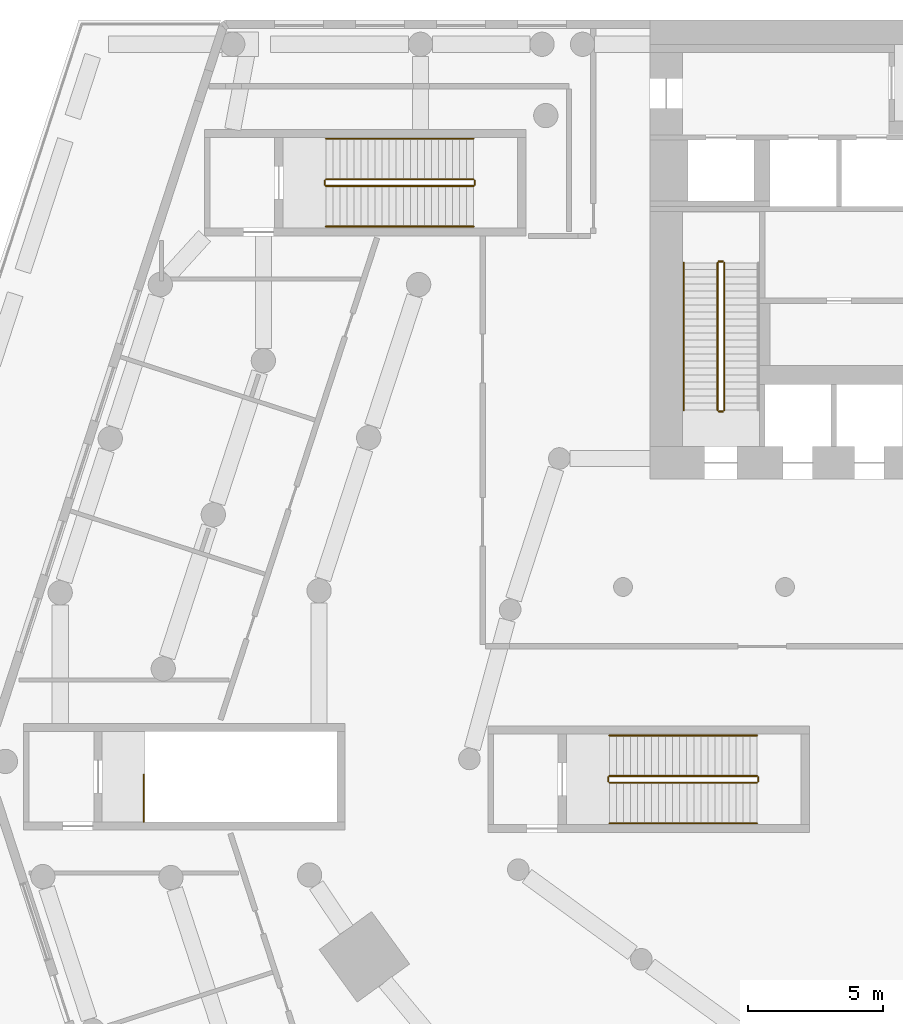
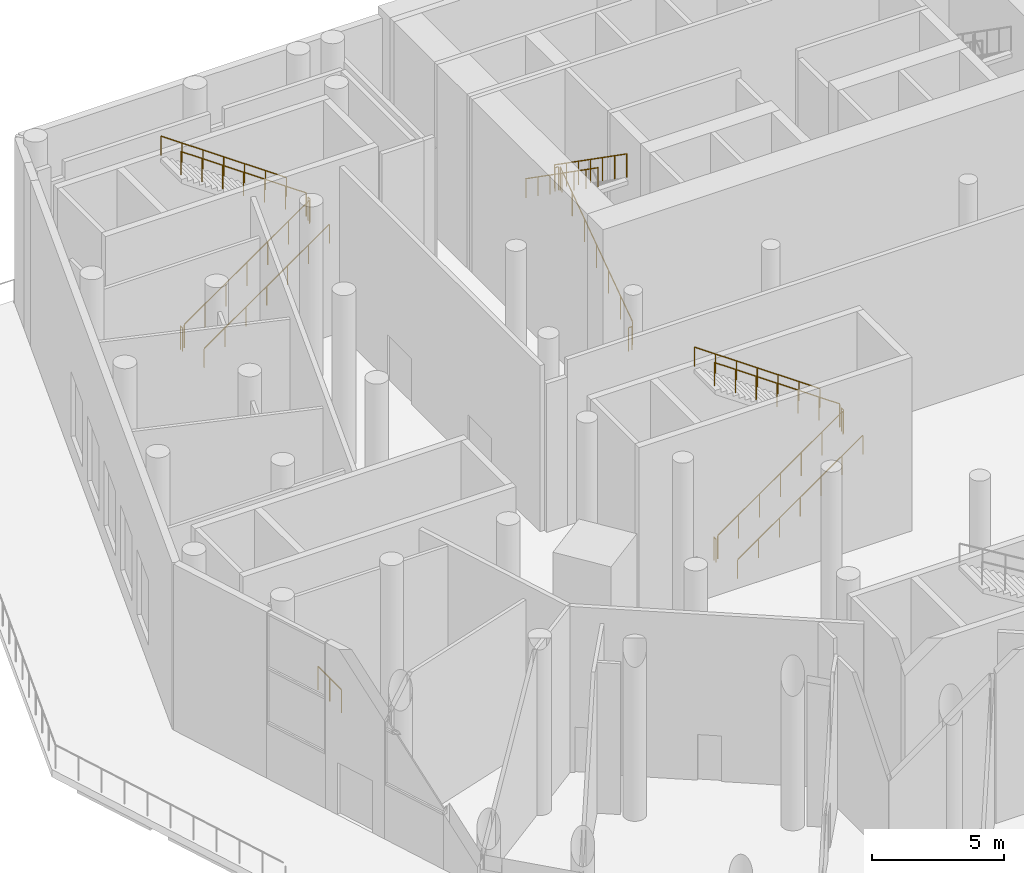
# One storey, part 21 of 23: 18 railings.
"""IFC4 building model written with IfcOpenShell, lengths in metres."""

import ifcopenshell
import ifcopenshell.guid

model = None  # the IFC model being written
_history = None  # IfcOwnerHistory: only IFC2X3 demands one
_inside = {}  # id of a spatial element -> (the spatial element, [elements in it])
_under = {}  # id of a project, library or spatial element -> (it, [spatial elements below it])
_declared = {}  # id of a project -> (the project, [libraries it declares])
_typed = {}  # id of a type object -> (the type object, [elements of that type])
_made_of = {}  # id of a material, layer set ... -> (it, [elements and type objects made of it])


def new_model(schema):
    """Start an empty IFC model of exactly this schema.

    Asked for "IFC4X3", IfcOpenShell would pick the latest addendum, in which some entities
    have other attributes; the version numbers below select the first issue.
    IFC2X3 requires an IfcOwnerHistory on every rooted entity: one is made here for all.
    """
    global model, _history
    if schema == "IFC4X3":
        model = ifcopenshell.file(schema_version=(4, 3, 0, 0))
    else:
        model = ifcopenshell.file(schema=schema)
    _inside.clear()
    _under.clear()
    _declared.clear()
    _typed.clear()
    _made_of.clear()
    _history = None
    if model.schema == "IFC2X3":
        org = make("IfcOrganization", Name="unknown")
        user = make(
            "IfcPersonAndOrganization",
            ThePerson=make("IfcPerson", FamilyName="unknown"),
            TheOrganization=org,
        )
        app = make(
            "IfcApplication",
            ApplicationDeveloper=org,
            Version="unknown",
            ApplicationFullName="unknown",
            ApplicationIdentifier="unknown",
        )
        _history = make(
            "IfcOwnerHistory",
            OwningUser=user,
            OwningApplication=app,
            ChangeAction="ADDED",
            CreationDate=0,
        )
    return model


def make(cls, **values):
    """One entity of the class cls with the attributes given. An attribute that is None is left unset."""
    return model.create_entity(
        cls, **{name: value for name, value in values.items() if value is not None}
    )


def rooted(cls, **values):
    """An entity with a GlobalId (a new one), such as an element, a storey or a relation."""
    return make(cls, GlobalId=ifcopenshell.guid.new(), OwnerHistory=_history, **values)


def si_unit(unit_type, name, prefix=None):
    """IfcSIUnit, for example si_unit("LENGTHUNIT", "METRE", prefix="MILLI")."""
    return make("IfcSIUnit", UnitType=unit_type, Prefix=prefix, Name=name)


def assignment(units):
    """IfcUnitAssignment: the units of a project."""
    return None if units is None else make("IfcUnitAssignment", Units=units)


def point(xyz):
    """IfcCartesianPoint."""
    return None if xyz is None else make("IfcCartesianPoint", Coordinates=xyz)


def direction(xyz):
    """IfcDirection."""
    return None if xyz is None else make("IfcDirection", DirectionRatios=xyz)


def frame(location, z_axis=None, x_axis=None):
    """IfcAxis2Placement3D, a coordinate frame: its origin and axes. An axis left out is left unset."""
    return make(
        "IfcAxis2Placement3D",
        Location=point(location),
        Axis=direction(z_axis),
        RefDirection=direction(x_axis),
    )


def frame_2d(location, x_axis=None):
    """IfcAxis2Placement2D, a coordinate frame in the plane: its origin and x axis."""
    return make(
        "IfcAxis2Placement2D", Location=point(location), RefDirection=direction(x_axis)
    )


def origin():
    """The frame at (0, 0, 0) with its axes left unset."""
    return frame((0.0, 0.0, 0.0))


def origin_2d():
    """The frame at (0, 0) in the plane with its x axis left unset."""
    return frame_2d((0.0, 0.0))


def place(relative_to, where):
    """IfcLocalPlacement: puts the frame where relative to a parent placement (None: the world)."""
    return make(
        "IfcLocalPlacement", PlacementRelTo=relative_to, RelativePlacement=where
    )


def context(
    kind, dimensions, precision=None, world=None, true_north=None, identifier=None
):
    """IfcGeometricRepresentationContext, for example the 3D "Model" context."""
    return make(
        "IfcGeometricRepresentationContext",
        ContextIdentifier=identifier,
        ContextType=kind,
        CoordinateSpaceDimension=dimensions,
        Precision=precision,
        WorldCoordinateSystem=world,
        TrueNorth=true_north,
    )


def subcontext(parent, identifier, kind, view, scale=None):
    """IfcGeometricRepresentationSubContext, for example "Body" below "Model"."""
    return make(
        "IfcGeometricRepresentationSubContext",
        ContextIdentifier=identifier,
        ContextType=kind,
        ParentContext=parent,
        TargetScale=scale,
        TargetView=view,
    )


def project(units=None, contexts=None):
    """IfcProject with its units and contexts."""
    return rooted(
        "IfcProject",
        Name="project",
        RepresentationContexts=contexts,
        UnitsInContext=assignment(units),
    )


def spatial(cls, under=None, at=None, **own):
    """A site, building, storey or space (cls), placed at a placement, below another one or the project."""
    s = rooted(cls, ObjectPlacement=at, **own)
    if under is not None:
        _under.setdefault(under.id(), (under, []))[1].append(s)
    return s


def profile(cls, at=None, kind="AREA", **sizes):
    """A parametric profile (cls). Its sizes go by their IFC names, for example OverallWidth=200.0."""
    return make(cls, ProfileType=kind, Position=at, **sizes)


def circle(**sizes):
    """IfcCircleProfileDef."""
    return profile("IfcCircleProfileDef", **sizes)


def extrude(swept, where, along, depth):
    """IfcExtrudedAreaSolid: the profile swept, set in the frame where, extruded along a direction by depth."""
    return make(
        "IfcExtrudedAreaSolid",
        SweptArea=swept,
        Position=where,
        ExtrudedDirection=direction(along),
        Depth=depth,
    )


def shape(context_of_items, identifier, shape_type, items):
    """IfcShapeRepresentation: the items that make up one representation, for example the "Body"."""
    return make(
        "IfcShapeRepresentation",
        ContextOfItems=context_of_items,
        RepresentationIdentifier=identifier,
        RepresentationType=shape_type,
        Items=items,
    )


def material(Name=None, Category=None):
    """IfcMaterial."""
    return make("IfcMaterial", Name=Name, Category=Category)


def made_of(thing, what):
    """Note that an element or type object is made of a material, layer set ...; save() writes the relation."""
    if what is not None:
        _made_of.setdefault(what.id(), (what, []))[1].append(thing)
    return thing


def type_object(cls, material=None, **own):
    """A type object (cls), such as IfcWallType, which elements share."""
    return made_of(rooted(cls, **own), material)


def element(
    cls,
    number,
    at=None,
    inside=None,
    cuts=None,
    type_object=None,
    material=None,
    context=None,
    identifier="Body",
    shape_type=None,
    held_by="IfcProductDefinitionShape",
    body=None,
    shapes=None,
    **own,
):
    """One element of the class cls, such as IfcWall. Its Tag is "e" and its number.

    at: its placement. inside: the storey or other place that contains it. cuts: it is an
    opening in that element (IfcRelVoidsElement). A single representation is given by context,
    identifier, shape_type and body (its items); several are given by shapes. held_by: the class
    of the entity that holds the representations. save() writes the other relations.
    """
    e = rooted(cls, Tag="e%d" % number, ObjectPlacement=at, **own)
    if body is not None:
        shapes = [shape(context, identifier, shape_type, body)]
    if shapes is not None:
        e.Representation = make(held_by, Representations=shapes)
    if inside is not None:
        _inside.setdefault(inside.id(), (inside, []))[1].append(e)
    if cuts is not None:
        rooted(
            "IfcRelVoidsElement", RelatingBuildingElement=cuts, RelatedOpeningElement=e
        )
    if type_object is not None:
        _typed.setdefault(type_object.id(), (type_object, []))[1].append(e)
    return made_of(e, material)


def aggregate(whole, parts):
    """IfcRelAggregates: a whole, such as a stair, and the parts it consists of."""
    return rooted("IfcRelAggregates", RelatingObject=whole, RelatedObjects=parts)


def save(model, path):
    """Write the relations noted so far, then the file.

    IfcRelAggregates (storeys below a building ...), IfcRelContainedInSpatialStructure (elements
    in a storey), IfcRelDefinesByType, IfcRelAssociatesMaterial and IfcRelDeclares: one each for
    every whole, place, type object, material and project.
    """
    for whole, parts in _under.values():
        aggregate(whole, parts)
    for where, things in _inside.values():
        rooted(
            "IfcRelContainedInSpatialStructure",
            RelatedElements=things,
            RelatingStructure=where,
        )
    for kind, things in _typed.values():
        rooted("IfcRelDefinesByType", RelatedObjects=things, RelatingType=kind)
    for what, things in _made_of.values():
        rooted("IfcRelAssociatesMaterial", RelatedObjects=things, RelatingMaterial=what)
    for by, libraries in _declared.values():
        rooted("IfcRelDeclares", RelatingContext=by, RelatedDefinitions=libraries)
    model.write(path)


model = new_model("IFC4")

# Units and contexts
model_context = context("Model", 3, precision=1e-05, world=origin(), true_north=direction((0.0, 1.0)))
body_context = subcontext(model_context, "Body", "Model", "MODEL_VIEW")
ifc_project = project(units=[si_unit("LENGTHUNIT", "METRE"), si_unit("AREAUNIT", "SQUARE_METRE"), si_unit("VOLUMEUNIT", "CUBIC_METRE"), si_unit("PLANEANGLEUNIT", "RADIAN"), si_unit("MASSUNIT", "GRAM", prefix="KILO")], contexts=[model_context])

# Site, building, storey
site_placement = place(None, origin())
site = spatial("IfcSite", under=ifc_project, at=site_placement, CompositionType="ELEMENT")
building_placement = place(site_placement, origin())
building = spatial("IfcBuilding", under=site, at=building_placement, Name="White Candle Pilgrim Tower", CompositionType="ELEMENT")
storey_placement = place(building_placement, frame((0.0, 0.0, 15.0)))
storey = spatial("IfcBuildingStorey", under=building, at=storey_placement, Name="L02", CompositionType="ELEMENT", Elevation=15.0)

# Railings
ifc_material = material(Name="Stainless steel", Category="steel")
railing_type_1 = type_object("IfcRailingType", Name="Stair guard stainless steel 1100 mm", PredefinedType="GUARDRAIL", material=ifc_material)
railing_1_placement = place(storey_placement, frame((61.75, 73.550048828125, 0.181884765625)))
element("IfcRailing", 1, at=railing_1_placement, inside=storey, type_object=railing_type_1, Name="L02 ST1 stair guard 1", PredefinedType="GUARDRAIL", context=body_context, shape_type="SweptSolid", body=[
    extrude(circle(Radius=0.02392578125, at=origin_2d()), frame((0.0, 0.0, 1.076171875), z_axis=(0.0, 0.81950382928, 0.573073707123), x_axis=(-1.0, 0.0, 0.0)), (0.0, 0.0, 1.0), 6.66259765625),
    extrude(circle(Radius=0.02099609375, at=origin_2d()), origin(), (0.0, 0.0, 1.0), 1.052001953125),
    extrude(circle(Radius=0.02099609375, at=origin_2d()), frame((0.0, 0.909912109375, 0.63623046875)), (0.0, 0.0, 1.0), 1.052001953125),
    extrude(circle(Radius=0.02099609375, at=origin_2d()), frame((0.0, 1.820068359375, 1.272705078125)), (0.0, 0.0, 1.0), 1.052001953125),
    extrude(circle(Radius=0.02099609375, at=origin_2d()), frame((0.0, 2.72998046875, 1.9091796875)), (0.0, 0.0, 1.0), 1.052001953125),
    extrude(circle(Radius=0.02099609375, at=origin_2d()), frame((0.0, 3.639892578125, 2.54541015625)), (0.0, 0.0, 1.0), 1.052001953125),
    extrude(circle(Radius=0.02099609375, at=origin_2d()), frame((0.0, 4.550048828125, 3.181640625)), (0.0, 0.0, 1.0), 1.052001953125),
    extrude(circle(Radius=0.02099609375, at=origin_2d()), frame((0.0, 5.4599609375, 3.818115234375)), (0.0, 0.0, 1.0), 1.052001953125),
])
railing_2_placement = place(storey_placement, frame((61.699951171875, 79.06005859375, 4.0)))
element("IfcRailing", 2, at=railing_2_placement, inside=storey, type_object=railing_type_1, Name="L02 ST1 stair guard 2", PredefinedType="GUARDRAIL", context=body_context, shape_type="SweptSolid", body=[
    extrude(circle(Radius=0.02392578125, at=origin_2d()), frame((0.0, 0.0, 1.076171875), z_axis=(-1.0, 0.0, 0.0), x_axis=(0.0, -1.0, 0.0)), (0.0, 0.0, 1.0), 0.14990234375),
    extrude(circle(Radius=0.02099609375, at=origin_2d()), origin(), (0.0, 0.0, 1.0), 1.052001953125),
    extrude(circle(Radius=0.02099609375, at=origin_2d()), frame((-0.14990234375, 0.0, 0.0)), (0.0, 0.0, 1.0), 1.052001953125),
])
railing_3_placement = place(storey_placement, frame((61.5, 79.010009765625, 4.181884765625)))
element("IfcRailing", 3, at=railing_3_placement, inside=storey, type_object=railing_type_1, Name="L02 ST1 stair guard 3", PredefinedType="GUARDRAIL", context=body_context, shape_type="SweptSolid", body=[
    extrude(circle(Radius=0.02392578125, at=origin_2d()), frame((0.0, 0.0, 1.076171875), z_axis=(0.0, -0.81950382928, 0.573073707123), x_axis=(1.0, 0.0, 0.0)), (0.0, 0.0, 1.0), 6.66259765625),
    extrude(circle(Radius=0.02099609375, at=origin_2d()), origin(), (0.0, 0.0, 1.0), 1.052001953125),
    extrude(circle(Radius=0.02099609375, at=origin_2d()), frame((0.0, -0.909912109375, 0.63623046875)), (0.0, 0.0, 1.0), 1.052001953125),
    extrude(circle(Radius=0.02099609375, at=origin_2d()), frame((0.0, -1.820068359375, 1.272705078125)), (0.0, 0.0, 1.0), 1.052001953125),
    extrude(circle(Radius=0.02099609375, at=origin_2d()), frame((0.0, -2.72998046875, 1.9091796875)), (0.0, 0.0, 1.0), 1.052001953125),
    extrude(circle(Radius=0.02099609375, at=origin_2d()), frame((0.0, -3.639892578125, 2.54541015625)), (0.0, 0.0, 1.0), 1.052001953125),
    extrude(circle(Radius=0.02099609375, at=origin_2d()), frame((0.0, -4.550048828125, 3.181640625)), (0.0, 0.0, 1.0), 1.052001953125),
    extrude(circle(Radius=0.02099609375, at=origin_2d()), frame((0.0, -5.4599609375, 3.818115234375)), (0.0, 0.0, 1.0), 1.052001953125),
])
railing_4_placement = place(storey_placement, frame((61.699951171875, 73.5, 0.0)))
element("IfcRailing", 4, at=railing_4_placement, inside=storey, type_object=railing_type_1, Name="L02 ST1 stair guard 4", PredefinedType="GUARDRAIL", context=body_context, shape_type="SweptSolid", body=[
    extrude(circle(Radius=0.02392578125, at=origin_2d()), frame((0.0, 0.0, 1.076171875), z_axis=(-1.0, 0.0, 0.0), x_axis=(0.0, -1.0, 0.0)), (0.0, 0.0, 1.0), 0.14990234375),
    extrude(circle(Radius=0.02099609375, at=origin_2d()), origin(), (0.0, 0.0, 1.0), 1.052001953125),
    extrude(circle(Radius=0.02099609375, at=origin_2d()), frame((-0.14990234375, 0.0, 0.0)), (0.0, 0.0, 1.0), 1.052001953125),
])
railing_5_placement = place(storey_placement, frame((57.5, 59.75, 0.181884765625)))
element("IfcRailing", 5, at=railing_5_placement, inside=storey, type_object=railing_type_1, Name="L02 ST5 stair guard 1", PredefinedType="GUARDRAIL", context=body_context, shape_type="SweptSolid", body=[
    extrude(circle(Radius=0.02392578125, at=origin_2d()), frame((0.0, 0.0, 1.076171875), z_axis=(0.81950382928, 0.0, 0.573073707123), x_axis=(0.0, 1.0, 0.0)), (0.0, 0.0, 1.0), 6.66259765625),
    extrude(circle(Radius=0.02099609375, at=origin_2d()), origin(), (0.0, 0.0, 1.0), 1.052001953125),
    extrude(circle(Radius=0.02099609375, at=origin_2d()), frame((0.909912109375, 0.0, 0.63623046875)), (0.0, 0.0, 1.0), 1.052001953125),
    extrude(circle(Radius=0.02099609375, at=origin_2d()), frame((1.820068359375, 0.0, 1.272705078125)), (0.0, 0.0, 1.0), 1.052001953125),
    extrude(circle(Radius=0.02099609375, at=origin_2d()), frame((2.72998046875, 0.0, 1.9091796875)), (0.0, 0.0, 1.0), 1.052001953125),
    extrude(circle(Radius=0.02099609375, at=origin_2d()), frame((3.639892578125, 0.0, 2.54541015625)), (0.0, 0.0, 1.0), 1.052001953125),
    extrude(circle(Radius=0.02099609375, at=origin_2d()), frame((4.550048828125, 0.0, 3.181640625)), (0.0, 0.0, 1.0), 1.052001953125),
    extrude(circle(Radius=0.02099609375, at=origin_2d()), frame((5.4599609375, 0.0, 3.818115234375)), (0.0, 0.0, 1.0), 1.052001953125),
])
railing_6_placement = place(storey_placement, frame((63.010009765625, 59.800048828125, 4.0)))
element("IfcRailing", 6, at=railing_6_placement, inside=storey, type_object=railing_type_1, Name="L02 ST5 stair guard 2", PredefinedType="GUARDRAIL", context=body_context, shape_type="SweptSolid", body=[
    extrude(circle(Radius=0.02392578125, at=origin_2d()), frame((0.0, 0.0, 1.076171875), z_axis=(0.0, 1.0, 0.0), x_axis=(-1.0, 0.0, 0.0)), (0.0, 0.0, 1.0), 0.14990234375),
    extrude(circle(Radius=0.02099609375, at=origin_2d()), origin(), (0.0, 0.0, 1.0), 1.052001953125),
    extrude(circle(Radius=0.02099609375, at=origin_2d()), frame((0.0, 0.14990234375, 0.0)), (0.0, 0.0, 1.0), 1.052001953125),
])
railing_7_placement = place(storey_placement, frame((62.9599609375, 60.0, 4.181884765625)))
element("IfcRailing", 7, at=railing_7_placement, inside=storey, type_object=railing_type_1, Name="L02 ST5 stair guard 3", PredefinedType="GUARDRAIL", context=body_context, shape_type="SweptSolid", body=[
    extrude(circle(Radius=0.02392578125, at=origin_2d()), frame((0.0, 0.0, 1.076171875), z_axis=(-0.81950382928, 0.0, 0.573073707123), x_axis=(0.0, -1.0, 0.0)), (0.0, 0.0, 1.0), 6.66259765625),
    extrude(circle(Radius=0.02099609375, at=origin_2d()), origin(), (0.0, 0.0, 1.0), 1.052001953125),
    extrude(circle(Radius=0.02099609375, at=origin_2d()), frame((-0.909912109375, 0.0, 0.63623046875)), (0.0, 0.0, 1.0), 1.052001953125),
    extrude(circle(Radius=0.02099609375, at=origin_2d()), frame((-1.820068359375, 0.0, 1.272705078125)), (0.0, 0.0, 1.0), 1.052001953125),
    extrude(circle(Radius=0.02099609375, at=origin_2d()), frame((-2.72998046875, 0.0, 1.9091796875)), (0.0, 0.0, 1.0), 1.052001953125),
    extrude(circle(Radius=0.02099609375, at=origin_2d()), frame((-3.639892578125, 0.0, 2.54541015625)), (0.0, 0.0, 1.0), 1.052001953125),
    extrude(circle(Radius=0.02099609375, at=origin_2d()), frame((-4.550048828125, 0.0, 3.181640625)), (0.0, 0.0, 1.0), 1.052001953125),
    extrude(circle(Radius=0.02099609375, at=origin_2d()), frame((-5.4599609375, 0.0, 3.818115234375)), (0.0, 0.0, 1.0), 1.052001953125),
])
railing_8_placement = place(storey_placement, frame((57.449951171875, 59.800048828125, 0.0)))
element("IfcRailing", 8, at=railing_8_placement, inside=storey, type_object=railing_type_1, Name="L02 ST5 stair guard 4", PredefinedType="GUARDRAIL", context=body_context, shape_type="SweptSolid", body=[
    extrude(circle(Radius=0.02392578125, at=origin_2d()), frame((0.0, 0.0, 1.076171875), z_axis=(0.0, 1.0, 0.0), x_axis=(-1.0, 0.0, 0.0)), (0.0, 0.0, 1.0), 0.14990234375),
    extrude(circle(Radius=0.02099609375, at=origin_2d()), origin(), (0.0, 0.0, 1.0), 1.052001953125),
    extrude(circle(Radius=0.02099609375, at=origin_2d()), frame((0.0, 0.14990234375, 0.0)), (0.0, 0.0, 1.0), 1.052001953125),
])
railing_9_placement = place(storey_placement, frame((40.25, 58.300048828125, 0.0)))
element("IfcRailing", 9, at=railing_9_placement, inside=storey, type_object=railing_type_1, Name="L02 ST8 top well guard 1", PredefinedType="GUARDRAIL", context=body_context, shape_type="SweptSolid", body=[
    extrude(circle(Radius=0.02392578125, at=origin_2d()), frame((0.0, 0.0, 1.076171875), z_axis=(0.0, 1.0, 0.0), x_axis=(-1.0, 0.0, 0.0)), (0.0, 0.0, 1.0), 1.75),
    extrude(circle(Radius=0.02099609375, at=origin_2d()), origin(), (0.0, 0.0, 1.0), 1.052001953125),
    extrude(circle(Radius=0.02099609375, at=origin_2d()), frame((0.0, 0.875, 0.0)), (0.0, 0.0, 1.0), 1.052001953125),
    extrude(circle(Radius=0.02099609375, at=origin_2d()), frame((0.0, 1.75, 0.0)), (0.0, 0.0, 1.0), 1.052001953125),
])
railing_10_placement = place(storey_placement, frame((47.0, 81.85009765625, 0.181884765625)))
element("IfcRailing", 10, at=railing_10_placement, inside=storey, type_object=railing_type_1, Name="L02 ST10 stair guard 1", PredefinedType="GUARDRAIL", context=body_context, shape_type="SweptSolid", body=[
    extrude(circle(Radius=0.02392578125, at=origin_2d()), frame((0.0, 0.0, 1.076171875), z_axis=(0.81950382928, 0.0, 0.573073707123), x_axis=(0.0, 1.0, 0.0)), (0.0, 0.0, 1.0), 6.66259765625),
    extrude(circle(Radius=0.02099609375, at=origin_2d()), origin(), (0.0, 0.0, 1.0), 1.052001953125),
    extrude(circle(Radius=0.02099609375, at=origin_2d()), frame((0.909912109375, 0.0, 0.63623046875)), (0.0, 0.0, 1.0), 1.052001953125),
    extrude(circle(Radius=0.02099609375, at=origin_2d()), frame((1.820068359375, 0.0, 1.272705078125)), (0.0, 0.0, 1.0), 1.052001953125),
    extrude(circle(Radius=0.02099609375, at=origin_2d()), frame((2.72998046875, 0.0, 1.9091796875)), (0.0, 0.0, 1.0), 1.052001953125),
    extrude(circle(Radius=0.02099609375, at=origin_2d()), frame((3.639892578125, 0.0, 2.54541015625)), (0.0, 0.0, 1.0), 1.052001953125),
    extrude(circle(Radius=0.02099609375, at=origin_2d()), frame((4.550048828125, 0.0, 3.181640625)), (0.0, 0.0, 1.0), 1.052001953125),
    extrude(circle(Radius=0.02099609375, at=origin_2d()), frame((5.4599609375, 0.0, 3.818115234375)), (0.0, 0.0, 1.0), 1.052001953125),
])
railing_11_placement = place(storey_placement, frame((52.510009765625, 81.89990234375, 4.0)))
element("IfcRailing", 11, at=railing_11_placement, inside=storey, type_object=railing_type_1, Name="L02 ST10 stair guard 2", PredefinedType="GUARDRAIL", context=body_context, shape_type="SweptSolid", body=[
    extrude(circle(Radius=0.02392578125, at=origin_2d()), frame((0.0, 0.0, 1.076171875), z_axis=(0.0, 1.0, 0.0), x_axis=(-1.0, 0.0, 0.0)), (0.0, 0.0, 1.0), 0.150146484375),
    extrude(circle(Radius=0.02099609375, at=origin_2d()), origin(), (0.0, 0.0, 1.0), 1.052001953125),
    extrude(circle(Radius=0.02099609375, at=origin_2d()), frame((0.0, 0.150146484375, 0.0)), (0.0, 0.0, 1.0), 1.052001953125),
])
railing_12_placement = place(storey_placement, frame((52.4599609375, 82.10009765625, 4.181884765625)))
element("IfcRailing", 12, at=railing_12_placement, inside=storey, type_object=railing_type_1, Name="L02 ST10 stair guard 3", PredefinedType="GUARDRAIL", context=body_context, shape_type="SweptSolid", body=[
    extrude(circle(Radius=0.02392578125, at=origin_2d()), frame((0.0, 0.0, 1.076171875), z_axis=(-0.81950382928, 0.0, 0.573073707123), x_axis=(0.0, -1.0, 0.0)), (0.0, 0.0, 1.0), 6.66259765625),
    extrude(circle(Radius=0.02099609375, at=origin_2d()), origin(), (0.0, 0.0, 1.0), 1.052001953125),
    extrude(circle(Radius=0.02099609375, at=origin_2d()), frame((-0.909912109375, 0.0, 0.63623046875)), (0.0, 0.0, 1.0), 1.052001953125),
    extrude(circle(Radius=0.02099609375, at=origin_2d()), frame((-1.820068359375, 0.0, 1.272705078125)), (0.0, 0.0, 1.0), 1.052001953125),
    extrude(circle(Radius=0.02099609375, at=origin_2d()), frame((-2.72998046875, 0.0, 1.9091796875)), (0.0, 0.0, 1.0), 1.052001953125),
    extrude(circle(Radius=0.02099609375, at=origin_2d()), frame((-3.639892578125, 0.0, 2.54541015625)), (0.0, 0.0, 1.0), 1.052001953125),
    extrude(circle(Radius=0.02099609375, at=origin_2d()), frame((-4.550048828125, 0.0, 3.181640625)), (0.0, 0.0, 1.0), 1.052001953125),
    extrude(circle(Radius=0.02099609375, at=origin_2d()), frame((-5.4599609375, 0.0, 3.818115234375)), (0.0, 0.0, 1.0), 1.052001953125),
])
railing_13_placement = place(storey_placement, frame((46.949951171875, 81.89990234375, 0.0)))
element("IfcRailing", 13, at=railing_13_placement, inside=storey, type_object=railing_type_1, Name="L02 ST10 stair guard 4", PredefinedType="GUARDRAIL", context=body_context, shape_type="SweptSolid", body=[
    extrude(circle(Radius=0.02392578125, at=origin_2d()), frame((0.0, 0.0, 1.076171875), z_axis=(0.0, 1.0, 0.0), x_axis=(-1.0, 0.0, 0.0)), (0.0, 0.0, 1.0), 0.150146484375),
    extrude(circle(Radius=0.02099609375, at=origin_2d()), origin(), (0.0, 0.0, 1.0), 1.052001953125),
    extrude(circle(Radius=0.02099609375, at=origin_2d()), frame((0.0, 0.150146484375, 0.0)), (0.0, 0.0, 1.0), 1.052001953125),
])
railing_type_2 = type_object("IfcRailingType", Name="Stair handrail stainless steel", PredefinedType="HANDRAIL", material=ifc_material)
railing_14_placement = place(storey_placement, frame((60.25, 79.010009765625, 4.181884765625)))
element("IfcRailing", 14, at=railing_14_placement, inside=storey, type_object=railing_type_2, Name="L02 ST1 stair handrail 2", PredefinedType="HANDRAIL", context=body_context, shape_type="SweptSolid", body=[
    extrude(circle(Radius=0.02392578125, at=origin_2d()), frame((0.0, 0.0, 0.8759765625), z_axis=(0.0, -0.81950382928, 0.573073707123), x_axis=(1.0, 0.0, 0.0)), (0.0, 0.0, 1.0), 6.66259765625),
    extrude(circle(Radius=0.02099609375, at=origin_2d()), origin(), (0.0, 0.0, 1.0), 0.851806640625),
    extrude(circle(Radius=0.02099609375, at=origin_2d()), frame((0.0, -0.909912109375, 0.63623046875)), (0.0, 0.0, 1.0), 0.851806640625),
    extrude(circle(Radius=0.02099609375, at=origin_2d()), frame((0.0, -1.820068359375, 1.272705078125)), (0.0, 0.0, 1.0), 0.851806640625),
    extrude(circle(Radius=0.02099609375, at=origin_2d()), frame((0.0, -2.72998046875, 1.9091796875)), (0.0, 0.0, 1.0), 0.851806640625),
    extrude(circle(Radius=0.02099609375, at=origin_2d()), frame((0.0, -3.639892578125, 2.54541015625)), (0.0, 0.0, 1.0), 0.851806640625),
    extrude(circle(Radius=0.02099609375, at=origin_2d()), frame((0.0, -4.550048828125, 3.181640625)), (0.0, 0.0, 1.0), 0.851806640625),
    extrude(circle(Radius=0.02099609375, at=origin_2d()), frame((0.0, -5.4599609375, 3.818115234375)), (0.0, 0.0, 1.0), 0.851806640625),
])
railing_15_placement = place(storey_placement, frame((57.5, 58.25, 0.181884765625)))
element("IfcRailing", 15, at=railing_15_placement, inside=storey, type_object=railing_type_2, Name="L02 ST5 stair handrail 1", PredefinedType="HANDRAIL", context=body_context, shape_type="SweptSolid", body=[
    extrude(circle(Radius=0.02392578125, at=origin_2d()), frame((0.0, 0.0, 0.8759765625), z_axis=(0.81950382928, 0.0, 0.573073707123), x_axis=(0.0, 1.0, 0.0)), (0.0, 0.0, 1.0), 6.66259765625),
    extrude(circle(Radius=0.02099609375, at=origin_2d()), origin(), (0.0, 0.0, 1.0), 0.851806640625),
    extrude(circle(Radius=0.02099609375, at=origin_2d()), frame((0.909912109375, 0.0, 0.63623046875)), (0.0, 0.0, 1.0), 0.851806640625),
    extrude(circle(Radius=0.02099609375, at=origin_2d()), frame((1.820068359375, 0.0, 1.272705078125)), (0.0, 0.0, 1.0), 0.851806640625),
    extrude(circle(Radius=0.02099609375, at=origin_2d()), frame((2.72998046875, 0.0, 1.9091796875)), (0.0, 0.0, 1.0), 0.851806640625),
    extrude(circle(Radius=0.02099609375, at=origin_2d()), frame((3.639892578125, 0.0, 2.54541015625)), (0.0, 0.0, 1.0), 0.851806640625),
    extrude(circle(Radius=0.02099609375, at=origin_2d()), frame((4.550048828125, 0.0, 3.181640625)), (0.0, 0.0, 1.0), 0.851806640625),
    extrude(circle(Radius=0.02099609375, at=origin_2d()), frame((5.4599609375, 0.0, 3.818115234375)), (0.0, 0.0, 1.0), 0.851806640625),
])
railing_16_placement = place(storey_placement, frame((62.9599609375, 61.5, 4.181884765625)))
element("IfcRailing", 16, at=railing_16_placement, inside=storey, type_object=railing_type_2, Name="L02 ST5 stair handrail 2", PredefinedType="HANDRAIL", context=body_context, shape_type="SweptSolid", body=[
    extrude(circle(Radius=0.02392578125, at=origin_2d()), frame((0.0, 0.0, 0.8759765625), z_axis=(-0.81950382928, 0.0, 0.573073707123), x_axis=(0.0, -1.0, 0.0)), (0.0, 0.0, 1.0), 6.66259765625),
    extrude(circle(Radius=0.02099609375, at=origin_2d()), origin(), (0.0, 0.0, 1.0), 0.851806640625),
    extrude(circle(Radius=0.02099609375, at=origin_2d()), frame((-0.909912109375, 0.0, 0.63623046875)), (0.0, 0.0, 1.0), 0.851806640625),
    extrude(circle(Radius=0.02099609375, at=origin_2d()), frame((-1.820068359375, 0.0, 1.272705078125)), (0.0, 0.0, 1.0), 0.851806640625),
    extrude(circle(Radius=0.02099609375, at=origin_2d()), frame((-2.72998046875, 0.0, 1.9091796875)), (0.0, 0.0, 1.0), 0.851806640625),
    extrude(circle(Radius=0.02099609375, at=origin_2d()), frame((-3.639892578125, 0.0, 2.54541015625)), (0.0, 0.0, 1.0), 0.851806640625),
    extrude(circle(Radius=0.02099609375, at=origin_2d()), frame((-4.550048828125, 0.0, 3.181640625)), (0.0, 0.0, 1.0), 0.851806640625),
    extrude(circle(Radius=0.02099609375, at=origin_2d()), frame((-5.4599609375, 0.0, 3.818115234375)), (0.0, 0.0, 1.0), 0.851806640625),
])
railing_17_placement = place(storey_placement, frame((47.0, 80.35009765625, 0.181884765625)))
element("IfcRailing", 17, at=railing_17_placement, inside=storey, type_object=railing_type_2, Name="L02 ST10 stair handrail 1", PredefinedType="HANDRAIL", context=body_context, shape_type="SweptSolid", body=[
    extrude(circle(Radius=0.02392578125, at=origin_2d()), frame((0.0, 0.0, 0.8759765625), z_axis=(0.81950382928, 0.0, 0.573073707123), x_axis=(0.0, 1.0, 0.0)), (0.0, 0.0, 1.0), 6.66259765625),
    extrude(circle(Radius=0.02099609375, at=origin_2d()), origin(), (0.0, 0.0, 1.0), 0.851806640625),
    extrude(circle(Radius=0.02099609375, at=origin_2d()), frame((0.909912109375, 0.0, 0.63623046875)), (0.0, 0.0, 1.0), 0.851806640625),
    extrude(circle(Radius=0.02099609375, at=origin_2d()), frame((1.820068359375, 0.0, 1.272705078125)), (0.0, 0.0, 1.0), 0.851806640625),
    extrude(circle(Radius=0.02099609375, at=origin_2d()), frame((2.72998046875, 0.0, 1.9091796875)), (0.0, 0.0, 1.0), 0.851806640625),
    extrude(circle(Radius=0.02099609375, at=origin_2d()), frame((3.639892578125, 0.0, 2.54541015625)), (0.0, 0.0, 1.0), 0.851806640625),
    extrude(circle(Radius=0.02099609375, at=origin_2d()), frame((4.550048828125, 0.0, 3.181640625)), (0.0, 0.0, 1.0), 0.851806640625),
    extrude(circle(Radius=0.02099609375, at=origin_2d()), frame((5.4599609375, 0.0, 3.818115234375)), (0.0, 0.0, 1.0), 0.851806640625),
])
railing_18_placement = place(storey_placement, frame((52.4599609375, 83.60009765625, 4.181884765625)))
element("IfcRailing", 18, at=railing_18_placement, inside=storey, type_object=railing_type_2, Name="L02 ST10 stair handrail 2", PredefinedType="HANDRAIL", context=body_context, shape_type="SweptSolid", body=[
    extrude(circle(Radius=0.02392578125, at=origin_2d()), frame((0.0, 0.0, 0.8759765625), z_axis=(-0.81950382928, 0.0, 0.573073707123), x_axis=(0.0, -1.0, 0.0)), (0.0, 0.0, 1.0), 6.66259765625),
    extrude(circle(Radius=0.02099609375, at=origin_2d()), origin(), (0.0, 0.0, 1.0), 0.851806640625),
    extrude(circle(Radius=0.02099609375, at=origin_2d()), frame((-0.909912109375, 0.0, 0.63623046875)), (0.0, 0.0, 1.0), 0.851806640625),
    extrude(circle(Radius=0.02099609375, at=origin_2d()), frame((-1.820068359375, 0.0, 1.272705078125)), (0.0, 0.0, 1.0), 0.851806640625),
    extrude(circle(Radius=0.02099609375, at=origin_2d()), frame((-2.72998046875, 0.0, 1.9091796875)), (0.0, 0.0, 1.0), 0.851806640625),
    extrude(circle(Radius=0.02099609375, at=origin_2d()), frame((-3.639892578125, 0.0, 2.54541015625)), (0.0, 0.0, 1.0), 0.851806640625),
    extrude(circle(Radius=0.02099609375, at=origin_2d()), frame((-4.550048828125, 0.0, 3.181640625)), (0.0, 0.0, 1.0), 0.851806640625),
    extrude(circle(Radius=0.02099609375, at=origin_2d()), frame((-5.4599609375, 0.0, 3.818115234375)), (0.0, 0.0, 1.0), 0.851806640625),
])

save(model, "model.ifc")
